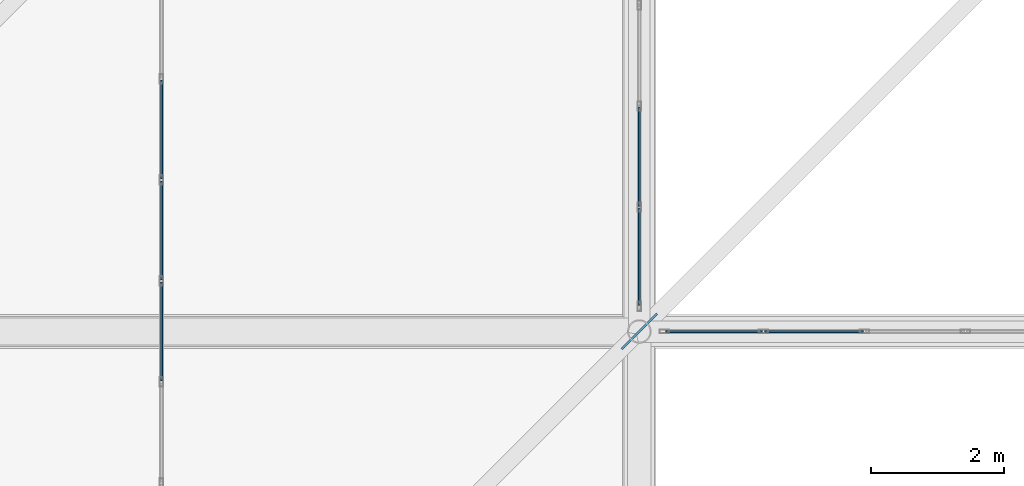
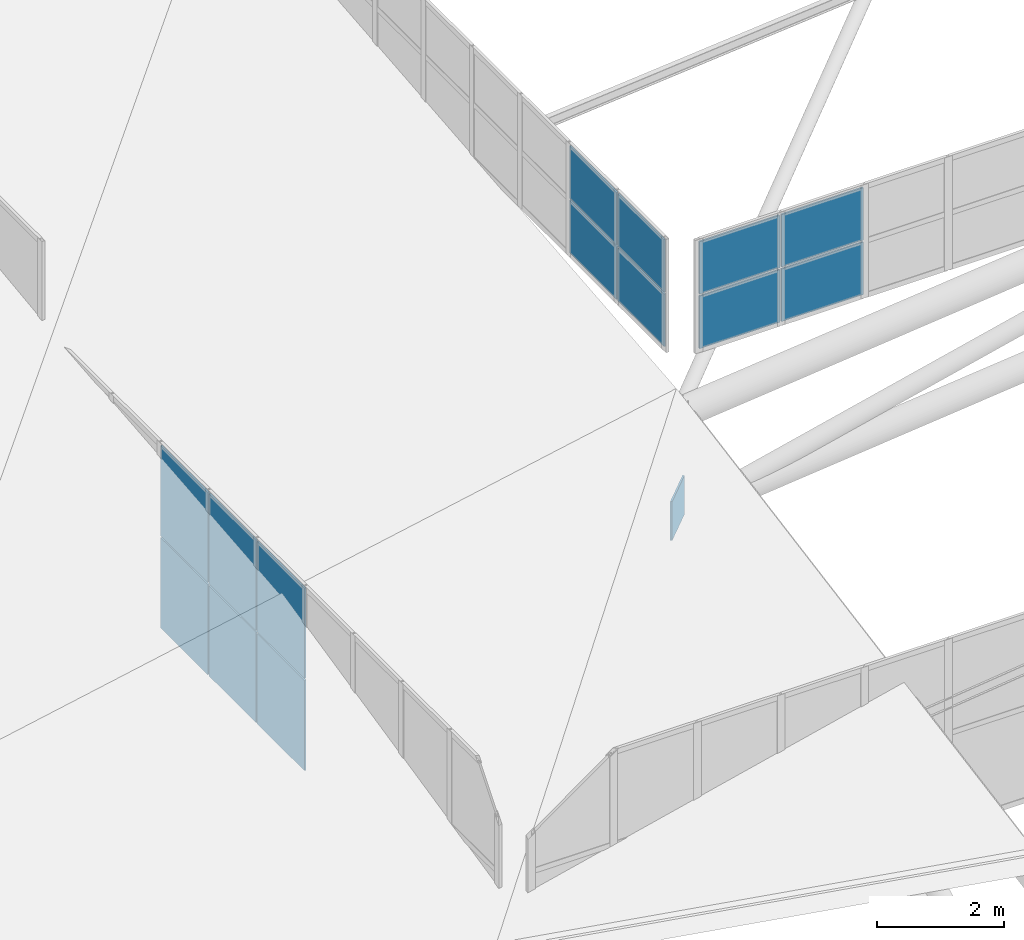
# One storey, part 358 of 397: 15 plates, 3 elements without a shape of their own.
"""IFC4 building model written with IfcOpenShell, lengths in metres."""

import ifcopenshell
import ifcopenshell.guid

model = None  # the IFC model being written
_history = None  # IfcOwnerHistory: only IFC2X3 demands one
_inside = {}  # id of a spatial element -> (the spatial element, [elements in it])
_under = {}  # id of a project, library or spatial element -> (it, [spatial elements below it])
_declared = {}  # id of a project -> (the project, [libraries it declares])
_typed = {}  # id of a type object -> (the type object, [elements of that type])
_made_of = {}  # id of a material, layer set ... -> (it, [elements and type objects made of it])


def new_model(schema):
    """Start an empty IFC model of exactly this schema.

    Asked for "IFC4X3", IfcOpenShell would pick the latest addendum, in which some entities
    have other attributes; the version numbers below select the first issue.
    IFC2X3 requires an IfcOwnerHistory on every rooted entity: one is made here for all.
    """
    global model, _history
    if schema == "IFC4X3":
        model = ifcopenshell.file(schema_version=(4, 3, 0, 0))
    else:
        model = ifcopenshell.file(schema=schema)
    _inside.clear()
    _under.clear()
    _declared.clear()
    _typed.clear()
    _made_of.clear()
    _history = None
    if model.schema == "IFC2X3":
        org = make("IfcOrganization", Name="unknown")
        user = make(
            "IfcPersonAndOrganization",
            ThePerson=make("IfcPerson", FamilyName="unknown"),
            TheOrganization=org,
        )
        app = make(
            "IfcApplication",
            ApplicationDeveloper=org,
            Version="unknown",
            ApplicationFullName="unknown",
            ApplicationIdentifier="unknown",
        )
        _history = make(
            "IfcOwnerHistory",
            OwningUser=user,
            OwningApplication=app,
            ChangeAction="ADDED",
            CreationDate=0,
        )
    return model


def make(cls, **values):
    """One entity of the class cls with the attributes given. An attribute that is None is left unset."""
    return model.create_entity(
        cls, **{name: value for name, value in values.items() if value is not None}
    )


def rooted(cls, **values):
    """An entity with a GlobalId (a new one), such as an element, a storey or a relation."""
    return make(cls, GlobalId=ifcopenshell.guid.new(), OwnerHistory=_history, **values)


def si_unit(unit_type, name, prefix=None):
    """IfcSIUnit, for example si_unit("LENGTHUNIT", "METRE", prefix="MILLI")."""
    return make("IfcSIUnit", UnitType=unit_type, Prefix=prefix, Name=name)


def assignment(units):
    """IfcUnitAssignment: the units of a project."""
    return None if units is None else make("IfcUnitAssignment", Units=units)


def point(xyz):
    """IfcCartesianPoint."""
    return None if xyz is None else make("IfcCartesianPoint", Coordinates=xyz)


def direction(xyz):
    """IfcDirection."""
    return None if xyz is None else make("IfcDirection", DirectionRatios=xyz)


def frame(location, z_axis=None, x_axis=None):
    """IfcAxis2Placement3D, a coordinate frame: its origin and axes. An axis left out is left unset."""
    return make(
        "IfcAxis2Placement3D",
        Location=point(location),
        Axis=direction(z_axis),
        RefDirection=direction(x_axis),
    )


def frame_2d(location, x_axis=None):
    """IfcAxis2Placement2D, a coordinate frame in the plane: its origin and x axis."""
    return make(
        "IfcAxis2Placement2D", Location=point(location), RefDirection=direction(x_axis)
    )


def origin():
    """The frame at (0, 0, 0) with its axes left unset."""
    return frame((0.0, 0.0, 0.0))


def origin_2d():
    """The frame at (0, 0) in the plane with its x axis left unset."""
    return frame_2d((0.0, 0.0))


def place(relative_to, where):
    """IfcLocalPlacement: puts the frame where relative to a parent placement (None: the world)."""
    return make(
        "IfcLocalPlacement", PlacementRelTo=relative_to, RelativePlacement=where
    )


def context(
    kind, dimensions, precision=None, world=None, true_north=None, identifier=None
):
    """IfcGeometricRepresentationContext, for example the 3D "Model" context."""
    return make(
        "IfcGeometricRepresentationContext",
        ContextIdentifier=identifier,
        ContextType=kind,
        CoordinateSpaceDimension=dimensions,
        Precision=precision,
        WorldCoordinateSystem=world,
        TrueNorth=true_north,
    )


def subcontext(parent, identifier, kind, view, scale=None):
    """IfcGeometricRepresentationSubContext, for example "Body" below "Model"."""
    return make(
        "IfcGeometricRepresentationSubContext",
        ContextIdentifier=identifier,
        ContextType=kind,
        ParentContext=parent,
        TargetScale=scale,
        TargetView=view,
    )


def project(units=None, contexts=None):
    """IfcProject with its units and contexts."""
    return rooted(
        "IfcProject",
        Name="project",
        RepresentationContexts=contexts,
        UnitsInContext=assignment(units),
    )


def spatial(cls, under=None, at=None, **own):
    """A site, building, storey or space (cls), placed at a placement, below another one or the project."""
    s = rooted(cls, ObjectPlacement=at, **own)
    if under is not None:
        _under.setdefault(under.id(), (under, []))[1].append(s)
    return s


def profile(cls, at=None, kind="AREA", **sizes):
    """A parametric profile (cls). Its sizes go by their IFC names, for example OverallWidth=200.0."""
    return make(cls, ProfileType=kind, Position=at, **sizes)


def rectangle(**sizes):
    """IfcRectangleProfileDef."""
    return profile("IfcRectangleProfileDef", **sizes)


def extrude(swept, where, along, depth):
    """IfcExtrudedAreaSolid: the profile swept, set in the frame where, extruded along a direction by depth."""
    return make(
        "IfcExtrudedAreaSolid",
        SweptArea=swept,
        Position=where,
        ExtrudedDirection=direction(along),
        Depth=depth,
    )


def shape(context_of_items, identifier, shape_type, items):
    """IfcShapeRepresentation: the items that make up one representation, for example the "Body"."""
    return make(
        "IfcShapeRepresentation",
        ContextOfItems=context_of_items,
        RepresentationIdentifier=identifier,
        RepresentationType=shape_type,
        Items=items,
    )


def material(Name=None, Category=None):
    """IfcMaterial."""
    return make("IfcMaterial", Name=Name, Category=Category)


def layer(
    of_material, thickness, ventilated=None, Name=None, Category=None, Priority=None
):
    """IfcMaterialLayer: one layer of a wall or slab, of a material (None: an air gap)."""
    return make(
        "IfcMaterialLayer",
        Material=of_material,
        LayerThickness=thickness,
        IsVentilated=ventilated,
        Name=Name,
        Category=Category,
        Priority=Priority,
    )


def layer_set(layers, Name=None):
    """IfcMaterialLayerSet."""
    return make("IfcMaterialLayerSet", MaterialLayers=layers, LayerSetName=Name)


def made_of(thing, what):
    """Note that an element or type object is made of a material, layer set ...; save() writes the relation."""
    if what is not None:
        _made_of.setdefault(what.id(), (what, []))[1].append(thing)
    return thing


def type_object(cls, material=None, **own):
    """A type object (cls), such as IfcWallType, which elements share."""
    return made_of(rooted(cls, **own), material)


def element(
    cls,
    number,
    at=None,
    inside=None,
    cuts=None,
    type_object=None,
    material=None,
    context=None,
    identifier="Body",
    shape_type=None,
    held_by="IfcProductDefinitionShape",
    body=None,
    shapes=None,
    **own,
):
    """One element of the class cls, such as IfcWall. Its Tag is "e" and its number.

    at: its placement. inside: the storey or other place that contains it. cuts: it is an
    opening in that element (IfcRelVoidsElement). A single representation is given by context,
    identifier, shape_type and body (its items); several are given by shapes. held_by: the class
    of the entity that holds the representations. save() writes the other relations.
    """
    e = rooted(cls, Tag="e%d" % number, ObjectPlacement=at, **own)
    if body is not None:
        shapes = [shape(context, identifier, shape_type, body)]
    if shapes is not None:
        e.Representation = make(held_by, Representations=shapes)
    if inside is not None:
        _inside.setdefault(inside.id(), (inside, []))[1].append(e)
    if cuts is not None:
        rooted(
            "IfcRelVoidsElement", RelatingBuildingElement=cuts, RelatedOpeningElement=e
        )
    if type_object is not None:
        _typed.setdefault(type_object.id(), (type_object, []))[1].append(e)
    return made_of(e, material)


def aggregate(whole, parts):
    """IfcRelAggregates: a whole, such as a stair, and the parts it consists of."""
    return rooted("IfcRelAggregates", RelatingObject=whole, RelatedObjects=parts)


def save(model, path):
    """Write the relations noted so far, then the file.

    IfcRelAggregates (storeys below a building ...), IfcRelContainedInSpatialStructure (elements
    in a storey), IfcRelDefinesByType, IfcRelAssociatesMaterial and IfcRelDeclares: one each for
    every whole, place, type object, material and project.
    """
    for whole, parts in _under.values():
        aggregate(whole, parts)
    for where, things in _inside.values():
        rooted(
            "IfcRelContainedInSpatialStructure",
            RelatedElements=things,
            RelatingStructure=where,
        )
    for kind, things in _typed.values():
        rooted("IfcRelDefinesByType", RelatedObjects=things, RelatingType=kind)
    for what, things in _made_of.values():
        rooted("IfcRelAssociatesMaterial", RelatedObjects=things, RelatingMaterial=what)
    for by, libraries in _declared.values():
        rooted("IfcRelDeclares", RelatingContext=by, RelatedDefinitions=libraries)
    model.write(path)


model = new_model("IFC4")

# Units and contexts
model_context = context("Model", 3, precision=1e-05, world=origin(), true_north=direction((0.0, 1.0)))
body_context = subcontext(model_context, "Body", "Model", "MODEL_VIEW")
ifc_project = project(units=[si_unit("LENGTHUNIT", "METRE"), si_unit("AREAUNIT", "SQUARE_METRE"), si_unit("VOLUMEUNIT", "CUBIC_METRE"), si_unit("PLANEANGLEUNIT", "RADIAN"), si_unit("MASSUNIT", "GRAM", prefix="KILO")], contexts=[model_context])

# Site, building, storey
site_placement = place(None, origin())
site = spatial("IfcSite", under=ifc_project, at=site_placement, CompositionType="ELEMENT")
building_placement = place(site_placement, origin())
building = spatial("IfcBuilding", under=site, at=building_placement, Name="Qandorah Velis Arena", CompositionType="ELEMENT")
storey_placement = place(building_placement, frame((0.0, 0.0, 27.5)))
storey = spatial("IfcBuildingStorey", under=building, at=storey_placement, Name="RF", CompositionType="ELEMENT", Elevation=27.5)

# Curtain wall, plates
ifc_material_1 = material(Name="Solar-control low-E double glazing", Category="glass")
curtain_wall_type_1 = type_object("IfcCurtainWallType", Name="ARC-CW-SYS07", PredefinedType="USERDEFINED", material=ifc_material_1)
curtain_wall_1_placement = place(storey_placement, origin())
curtain_wall_1 = element("IfcCurtainWall", 1, at=curtain_wall_1_placement, inside=storey, type_object=curtain_wall_type_1, Name="Unitised curtain wall MON-1-1", ObjectType="UNITISED CURTAIN WALL", PredefinedType="USERDEFINED")
ifc_layer_1 = layer(ifc_material_1, 0.030029296875)
ifc_layer_set_1 = layer_set([ifc_layer_1], Name="Solar-control low-E double glazing")
plate_type_1 = type_object("IfcPlateType", Name="ARC-CWP-GLZ30", PredefinedType="CURTAIN_PANEL", material=ifc_layer_set_1)
plate_1_placement = place(storey_placement, frame((21.60009765625, 28.800048828125, 3.58642578125), z_axis=(0.0, 0.0, 1.0), x_axis=(0.0, 1.0, 0.0)))
plate_1 = element("IfcPlate", 2, at=plate_1_placement, type_object=plate_type_1, Name="CW07 panel 5.1", PredefinedType="CURTAIN_PANEL", context=body_context, shape_type="SweptSolid", body=[
    extrude(rectangle(XDim=1.4873046875, YDim=0.030029296875, at=origin_2d()), origin(), (0.0, 0.0, 1.0), 1.737548828125),
])
plate_2_placement = place(storey_placement, frame((21.60009765625, 28.800048828125, 5.35888671875), z_axis=(0.0, 0.0, 1.0), x_axis=(0.0, 1.0, 0.0)))
plate_2 = element("IfcPlate", 3, at=plate_2_placement, type_object=plate_type_1, Name="CW07 panel 5.2", PredefinedType="CURTAIN_PANEL", context=body_context, shape_type="SweptSolid", body=[
    extrude(rectangle(XDim=1.4873046875, YDim=0.030029296875, at=origin_2d()), origin(), (0.0, 0.0, 1.0), 1.737548828125),
])
plate_3_placement = place(storey_placement, frame((21.60009765625, 30.322265625, 3.58642578125), z_axis=(0.0, 0.0, 1.0), x_axis=(0.0, 1.0, 0.0)))
plate_3 = element("IfcPlate", 4, at=plate_3_placement, type_object=plate_type_1, Name="CW07 panel 6.1", PredefinedType="CURTAIN_PANEL", context=body_context, shape_type="SweptSolid", body=[
    extrude(rectangle(XDim=1.4873046875, YDim=0.030029296875, at=origin_2d()), origin(), (0.0, 0.0, 1.0), 1.737548828125),
])
plate_4_placement = place(storey_placement, frame((21.60009765625, 30.322265625, 5.35888671875), z_axis=(0.0, 0.0, 1.0), x_axis=(0.0, 1.0, 0.0)))
plate_4 = element("IfcPlate", 5, at=plate_4_placement, type_object=plate_type_1, Name="CW07 panel 6.2", PredefinedType="CURTAIN_PANEL", context=body_context, shape_type="SweptSolid", body=[
    extrude(rectangle(XDim=1.4873046875, YDim=0.030029296875, at=origin_2d()), origin(), (0.0, 0.0, 1.0), 1.737548828125),
])
plate_5_placement = place(storey_placement, frame((21.60009765625, 31.844482421875, 3.58642578125), z_axis=(0.0, 0.0, 1.0), x_axis=(0.0, 1.0, 0.0)))
plate_5 = element("IfcPlate", 6, at=plate_5_placement, type_object=plate_type_1, Name="CW07 panel 7.1", PredefinedType="CURTAIN_PANEL", context=body_context, shape_type="SweptSolid", body=[
    extrude(rectangle(XDim=1.4873046875, YDim=0.030029296875, at=origin_2d()), origin(), (0.0, 0.0, 1.0), 1.737548828125),
])
plate_6_placement = place(storey_placement, frame((21.60009765625, 31.844482421875, 5.35888671875), z_axis=(0.0, 0.0, 1.0), x_axis=(0.0, 1.0, 0.0)))
plate_6 = element("IfcPlate", 7, at=plate_6_placement, type_object=plate_type_1, Name="CW07 panel 7.2", PredefinedType="CURTAIN_PANEL", context=body_context, shape_type="SweptSolid", body=[
    extrude(rectangle(XDim=1.4873046875, YDim=0.030029296875, at=origin_2d()), origin(), (0.0, 0.0, 1.0), 1.737548828125),
])
aggregate(curtain_wall_1, [plate_1, plate_2, plate_3, plate_4, plate_5, plate_6])

curtain_wall_type_2 = type_object("IfcCurtainWallType", Name="ARC-CW-SYS06", PredefinedType="USERDEFINED", material=ifc_material_1)
curtain_wall_2_placement = place(storey_placement, origin())
curtain_wall_2 = element("IfcCurtainWall", 8, at=curtain_wall_2_placement, inside=storey, type_object=curtain_wall_type_2, Name="Unitised curtain wall OCULUS-1-1", ObjectType="UNITISED CURTAIN WALL", PredefinedType="USERDEFINED")
plate_7_placement = place(storey_placement, frame((28.800048828125, 29.9248046875, 8.53125), z_axis=(0.0, 0.0, 1.0), x_axis=(0.0, 1.0, 0.0)))
plate_7 = element("IfcPlate", 9, at=plate_7_placement, type_object=plate_type_1, Name="CW06 panel 1.1", PredefinedType="CURTAIN_PANEL", context=body_context, shape_type="SweptSolid", body=[
    extrude(rectangle(XDim=1.459716796875, YDim=0.030029296875, at=origin_2d()), origin(), (0.0, 0.0, 1.0), 1.012451171875),
])
plate_8_placement = place(storey_placement, frame((28.800048828125, 29.9248046875, 9.57861328125), z_axis=(0.0, 0.0, 1.0), x_axis=(0.0, 1.0, 0.0)))
plate_8 = element("IfcPlate", 10, at=plate_8_placement, type_object=plate_type_1, Name="CW06 panel 1.2", PredefinedType="CURTAIN_PANEL", context=body_context, shape_type="SweptSolid", body=[
    extrude(rectangle(XDim=1.459716796875, YDim=0.030029296875, at=origin_2d()), origin(), (0.0, 0.0, 1.0), 1.012451171875),
])
plate_9_placement = place(storey_placement, frame((28.800048828125, 31.433349609375, 8.53125), z_axis=(0.0, 0.0, 1.0), x_axis=(0.0, 1.0, 0.0)))
plate_9 = element("IfcPlate", 11, at=plate_9_placement, type_object=plate_type_1, Name="CW06 panel 2.1", PredefinedType="CURTAIN_PANEL", context=body_context, shape_type="SweptSolid", body=[
    extrude(rectangle(XDim=1.4873046875, YDim=0.030029296875, at=origin_2d()), origin(), (0.0, 0.0, 1.0), 1.012451171875),
])
plate_10_placement = place(storey_placement, frame((28.800048828125, 31.433349609375, 9.57861328125), z_axis=(0.0, 0.0, 1.0), x_axis=(0.0, 1.0, 0.0)))
plate_10 = element("IfcPlate", 12, at=plate_10_placement, type_object=plate_type_1, Name="CW06 panel 2.2", PredefinedType="CURTAIN_PANEL", context=body_context, shape_type="SweptSolid", body=[
    extrude(rectangle(XDim=1.4873046875, YDim=0.030029296875, at=origin_2d()), origin(), (0.0, 0.0, 1.0), 1.012451171875),
])
aggregate(curtain_wall_2, [plate_7, plate_8, plate_9, plate_10])

curtain_wall_type_3 = type_object("IfcCurtainWallType", Name="ARC-CW-SYS16", PredefinedType="USERDEFINED", material=ifc_material_1)
curtain_wall_3_placement = place(storey_placement, origin())
curtain_wall_3 = element("IfcCurtainWall", 13, at=curtain_wall_3_placement, inside=storey, type_object=curtain_wall_type_3, Name="Unitised curtain wall OCULUS-3-1", ObjectType="UNITISED CURTAIN WALL", PredefinedType="USERDEFINED")
plate_11_placement = place(storey_placement, frame((29.9248046875, 28.800048828125, 8.59521484375), z_axis=(0.0, 0.0, 1.0), x_axis=(1.0, 0.0, 0.0)))
plate_11 = element("IfcPlate", 14, at=plate_11_placement, type_object=plate_type_1, Name="CW16 panel 1.1", PredefinedType="CURTAIN_PANEL", context=body_context, shape_type="SweptSolid", body=[
    extrude(rectangle(XDim=1.459716796875, YDim=0.030029296875, at=origin_2d()), origin(), (0.0, 0.0, 1.0), 1.012451171875),
])
plate_12_placement = place(storey_placement, frame((29.9248046875, 28.800048828125, 9.642578125), z_axis=(0.0, 0.0, 1.0), x_axis=(1.0, 0.0, 0.0)))
plate_12 = element("IfcPlate", 15, at=plate_12_placement, type_object=plate_type_1, Name="CW16 panel 1.2", PredefinedType="CURTAIN_PANEL", context=body_context, shape_type="SweptSolid", body=[
    extrude(rectangle(XDim=1.459716796875, YDim=0.030029296875, at=origin_2d()), origin(), (0.0, 0.0, 1.0), 1.012451171875),
])
plate_13_placement = place(storey_placement, frame((31.433349609375, 28.800048828125, 8.59521484375), z_axis=(0.0, 0.0, 1.0), x_axis=(1.0, 0.0, 0.0)))
plate_13 = element("IfcPlate", 16, at=plate_13_placement, type_object=plate_type_1, Name="CW16 panel 2.1", PredefinedType="CURTAIN_PANEL", context=body_context, shape_type="SweptSolid", body=[
    extrude(rectangle(XDim=1.4873046875, YDim=0.030029296875, at=origin_2d()), origin(), (0.0, 0.0, 1.0), 1.012451171875),
])
plate_14_placement = place(storey_placement, frame((31.433349609375, 28.800048828125, 9.642578125), z_axis=(0.0, 0.0, 1.0), x_axis=(1.0, 0.0, 0.0)))
plate_14 = element("IfcPlate", 17, at=plate_14_placement, type_object=plate_type_1, Name="CW16 panel 2.2", PredefinedType="CURTAIN_PANEL", context=body_context, shape_type="SweptSolid", body=[
    extrude(rectangle(XDim=1.4873046875, YDim=0.030029296875, at=origin_2d()), origin(), (0.0, 0.0, 1.0), 1.012451171875),
])
aggregate(curtain_wall_3, [plate_11, plate_12, plate_13, plate_14])

# Plate
ifc_material_2 = material(Name="Steel S355", Category="steel")
ifc_layer_2 = layer(ifc_material_2, 0.031982421875)
ifc_layer_set_2 = layer_set([ifc_layer_2], Name="Steel S355")
plate_type_2 = type_object("IfcPlateType", Name="STR-PLT-GUS32", PredefinedType="SHEET", material=ifc_layer_set_2)
plate_15_placement = place(storey_placement, frame((28.800048828125, 28.800048828125, 5.290283203125), z_axis=(0.0, 0.0, 1.0), x_axis=(0.707106781187, 0.707106781187, 0.0)))
element("IfcPlate", 18, at=plate_15_placement, inside=storey, type_object=plate_type_2, Name="Space frame gusset plate 1.1", PredefinedType="SHEET", context=body_context, shape_type="SweptSolid", body=[
    extrude(rectangle(XDim=0.75, YDim=0.031982421875, at=origin_2d()), origin(), (0.0, 0.0, 1.0), 0.75),
])

save(model, "model.ifc")
